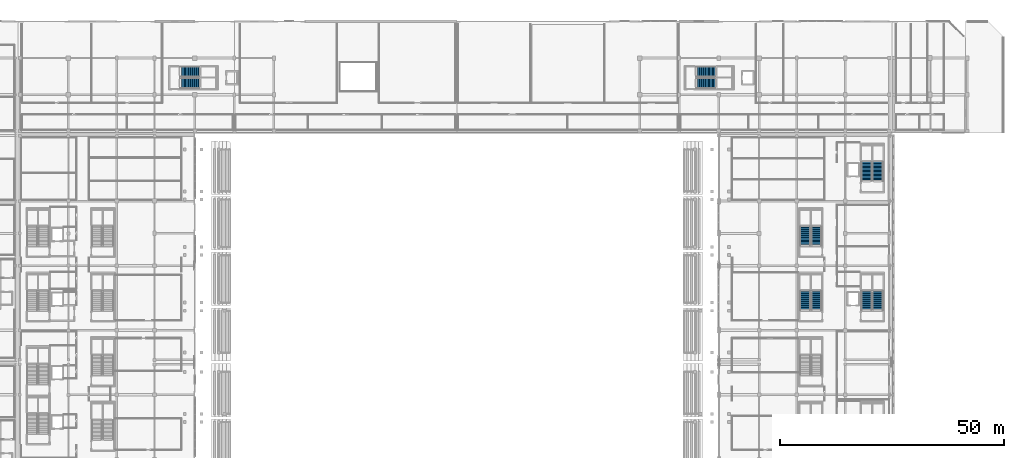
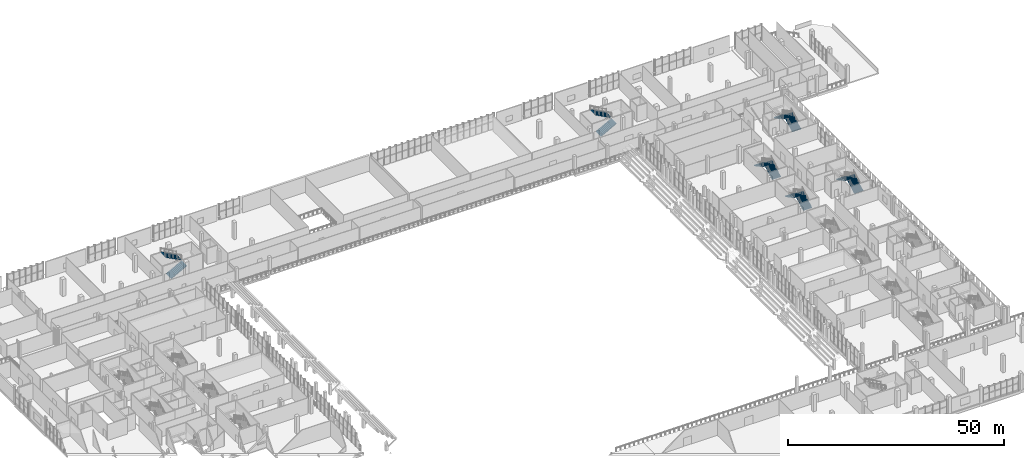
# One storey, part 108 of 142: 12 stair flights, 6 elements without a shape of their own.
"""IFC4 building model written with IfcOpenShell, lengths in metres."""

from ifc_helpers import new_model, si_unit, direction, frame, origin, place, context, subcontext, project, spatial, polyline, outline, extrude, material, type_object, element, aggregate, save


model = new_model("IFC4")

# Units and contexts
model_context = context("Model", 3, precision=1e-05, world=origin(), true_north=direction((0.0, 1.0)))
body_context = subcontext(model_context, "Body", "Model", "MODEL_VIEW")
ifc_project = project(units=[si_unit("LENGTHUNIT", "METRE"), si_unit("AREAUNIT", "SQUARE_METRE"), si_unit("VOLUMEUNIT", "CUBIC_METRE"), si_unit("PLANEANGLEUNIT", "RADIAN"), si_unit("MASSUNIT", "GRAM", prefix="KILO")], contexts=[model_context])

# Site, building, storey
site_placement = place(None, origin())
site = spatial("IfcSite", under=ifc_project, at=site_placement, CompositionType="ELEMENT")
building_placement = place(site_placement, origin())
building = spatial("IfcBuilding", under=site, at=building_placement, Name="Koshinbarg Plaza Stadium", CompositionType="ELEMENT")
storey_placement = place(building_placement, frame((0.0, 0.0, 10.199951171875)))
storey = spatial("IfcBuildingStorey", under=building, at=storey_placement, Name="L02", CompositionType="ELEMENT", Elevation=10.199951171875)

# Stair, stair flights
ifc_material = material(Name="Concrete C35/45", Category="concrete")
stair_type_1 = type_object("IfcStairType", Name="ST-CORE-48", PredefinedType="HALF_TURN_STAIR", material=ifc_material)
stair_1_placement = place(storey_placement, origin())
stair_1 = element("IfcStair", 1, at=stair_1_placement, inside=storey, type_object=stair_type_1, Name="L02 Protected Exit Stair C09", PredefinedType="HALF_TURN_STAIR")
stair_flight_type = type_object("IfcStairFlightType", Name="SFL-CORE-48", PredefinedType="STRAIGHT", material=ifc_material)
stair_flight_1_placement = place(storey_placement, frame((215.889892578125, 87.56005859375, 0.0), z_axis=(0.0, 0.0, 1.0), x_axis=(0.0, 1.0, 0.0)))
stair_flight_1 = element("IfcStairFlight", 2, at=stair_flight_1_placement, type_object=stair_flight_type, Name="L02 Protected Exit Stair C09 flight 097", NumberOfRisers=15, NumberOfTreads=14, PredefinedType="STRAIGHT", RiserHeight=0.16, TreadLength=0.3, context=body_context, shape_type="SweptSolid", body=[
    extrude(outline(polyline([(0.0, 0.0), (0.0, 0.159912109375), (0.300048828125, 0.159912109375), (0.300048828125, 0.320068359375), (0.60009765625, 0.320068359375), (0.60009765625, 0.47998046875), (0.89990234375, 0.47998046875), (0.89990234375, 0.639892578125), (1.199951171875, 0.639892578125), (1.199951171875, 0.800048828125), (1.5, 0.800048828125), (1.5, 0.9599609375), (1.800048828125, 0.9599609375), (1.800048828125, 1.1201171875), (2.10009765625, 1.1201171875), (2.10009765625, 1.280029296875), (2.39990234375, 1.280029296875), (2.39990234375, 1.43994140625), (2.699951171875, 1.43994140625), (2.699951171875, 1.60009765625), (3.0, 1.60009765625), (3.0, 1.760009765625), (3.300048828125, 1.760009765625), (3.300048828125, 1.919921875), (3.60009765625, 1.919921875), (3.60009765625, 2.080078125), (3.89990234375, 2.080078125), (3.89990234375, 2.239990234375), (4.199951171875, 2.239990234375), (4.199951171875, 2.39990234375), (4.199951171875, 2.070068359375), (0.318603515625, 0.0), (0.0, 0.0)])), frame((0.0, 1.18017578125, 0.0), z_axis=(0.0, -1.0, 0.0), x_axis=(1.0, 0.0, 0.0)), (0.0, 0.0, 1.0), 2.360107421875),
])
stair_flight_2_placement = place(storey_placement, frame((213.3798828125, 91.760009765625, 2.400146484375), z_axis=(0.0, 0.0, 1.0), x_axis=(0.0, -1.0, 0.0)))
stair_flight_2 = element("IfcStairFlight", 3, at=stair_flight_2_placement, type_object=stair_flight_type, Name="L02 Protected Exit Stair C09 flight 098", NumberOfRisers=15, NumberOfTreads=14, PredefinedType="STRAIGHT", RiserHeight=0.16, TreadLength=0.3, context=body_context, shape_type="SweptSolid", body=[
    extrude(outline(polyline([(0.0, 0.0), (0.0, 0.159912109375), (0.300048828125, 0.159912109375), (0.300048828125, 0.320068359375), (0.60009765625, 0.320068359375), (0.60009765625, 0.47998046875), (0.89990234375, 0.47998046875), (0.89990234375, 0.639892578125), (1.199951171875, 0.639892578125), (1.199951171875, 0.800048828125), (1.5, 0.800048828125), (1.5, 0.9599609375), (1.800048828125, 0.9599609375), (1.800048828125, 1.1201171875), (2.10009765625, 1.1201171875), (2.10009765625, 1.280029296875), (2.39990234375, 1.280029296875), (2.39990234375, 1.43994140625), (2.699951171875, 1.43994140625), (2.699951171875, 1.60009765625), (3.0, 1.60009765625), (3.0, 1.760009765625), (3.300048828125, 1.760009765625), (3.300048828125, 1.919921875), (3.60009765625, 1.919921875), (3.60009765625, 2.080078125), (3.89990234375, 2.080078125), (3.89990234375, 2.239990234375), (4.199951171875, 2.239990234375), (4.199951171875, 2.39990234375), (4.199951171875, 2.070068359375), (0.318603515625, 0.0), (0.0, 0.0)])), frame((0.0, 1.18017578125, 0.0), z_axis=(0.0, -1.0, 0.0), x_axis=(1.0, 0.0, 0.0)), (0.0, 0.0, 1.0), 2.360107421875),
])
aggregate(stair_1, [stair_flight_1, stair_flight_2])

stair_2_placement = place(storey_placement, origin())
stair_2 = element("IfcStair", 4, at=stair_2_placement, inside=storey, type_object=stair_type_1, Name="L02 Protected Exit Stair C10", PredefinedType="HALF_TURN_STAIR")
stair_flight_3_placement = place(storey_placement, frame((215.889892578125, 116.360107421875, 0.0), z_axis=(0.0, 0.0, 1.0), x_axis=(0.0, 1.0, 0.0)))
stair_flight_3 = element("IfcStairFlight", 5, at=stair_flight_3_placement, type_object=stair_flight_type, Name="L02 Protected Exit Stair C10 flight 107", NumberOfRisers=15, NumberOfTreads=14, PredefinedType="STRAIGHT", RiserHeight=0.16, TreadLength=0.3, context=body_context, shape_type="SweptSolid", body=[
    extrude(outline(polyline([(0.0, 0.0), (0.0, 0.159912109375), (0.300048828125, 0.159912109375), (0.300048828125, 0.320068359375), (0.60009765625, 0.320068359375), (0.60009765625, 0.47998046875), (0.89990234375, 0.47998046875), (0.89990234375, 0.639892578125), (1.199951171875, 0.639892578125), (1.199951171875, 0.800048828125), (1.5, 0.800048828125), (1.5, 0.9599609375), (1.800048828125, 0.9599609375), (1.800048828125, 1.1201171875), (2.10009765625, 1.1201171875), (2.10009765625, 1.280029296875), (2.39990234375, 1.280029296875), (2.39990234375, 1.43994140625), (2.699951171875, 1.43994140625), (2.699951171875, 1.60009765625), (3.0, 1.60009765625), (3.0, 1.760009765625), (3.300048828125, 1.760009765625), (3.300048828125, 1.919921875), (3.60009765625, 1.919921875), (3.60009765625, 2.080078125), (3.89990234375, 2.080078125), (3.89990234375, 2.239990234375), (4.199951171875, 2.239990234375), (4.199951171875, 2.39990234375), (4.199951171875, 2.070068359375), (0.318603515625, 0.0), (0.0, 0.0)])), frame((0.0, 1.18017578125, 0.0), z_axis=(0.0, -1.0, 0.0), x_axis=(1.0, 0.0, 0.0)), (0.0, 0.0, 1.0), 2.360107421875),
])
stair_flight_4_placement = place(storey_placement, frame((213.3798828125, 120.56005859375, 2.400146484375), z_axis=(0.0, 0.0, 1.0), x_axis=(0.0, -1.0, 0.0)))
stair_flight_4 = element("IfcStairFlight", 6, at=stair_flight_4_placement, type_object=stair_flight_type, Name="L02 Protected Exit Stair C10 flight 108", NumberOfRisers=15, NumberOfTreads=14, PredefinedType="STRAIGHT", RiserHeight=0.16, TreadLength=0.3, context=body_context, shape_type="SweptSolid", body=[
    extrude(outline(polyline([(0.0, 0.0), (0.0, 0.159912109375), (0.300048828125, 0.159912109375), (0.300048828125, 0.320068359375), (0.60009765625, 0.320068359375), (0.60009765625, 0.47998046875), (0.89990234375, 0.47998046875), (0.89990234375, 0.639892578125), (1.199951171875, 0.639892578125), (1.199951171875, 0.800048828125), (1.5, 0.800048828125), (1.5, 0.9599609375), (1.800048828125, 0.9599609375), (1.800048828125, 1.1201171875), (2.10009765625, 1.1201171875), (2.10009765625, 1.280029296875), (2.39990234375, 1.280029296875), (2.39990234375, 1.43994140625), (2.699951171875, 1.43994140625), (2.699951171875, 1.60009765625), (3.0, 1.60009765625), (3.0, 1.760009765625), (3.300048828125, 1.760009765625), (3.300048828125, 1.919921875), (3.60009765625, 1.919921875), (3.60009765625, 2.080078125), (3.89990234375, 2.080078125), (3.89990234375, 2.239990234375), (4.199951171875, 2.239990234375), (4.199951171875, 2.39990234375), (4.199951171875, 2.070068359375), (0.318603515625, 0.0), (0.0, 0.0)])), frame((0.0, 1.18017578125, 0.0), z_axis=(0.0, -1.0, 0.0), x_axis=(1.0, 0.0, 0.0)), (0.0, 0.0, 1.0), 2.360107421875),
])
aggregate(stair_2, [stair_flight_3, stair_flight_4])

stair_3_placement = place(storey_placement, origin())
stair_3 = element("IfcStair", 7, at=stair_3_placement, inside=storey, type_object=stair_type_1, Name="L02 Protected Exit Stair C11", PredefinedType="HALF_TURN_STAIR")
stair_flight_5_placement = place(storey_placement, frame((60.360107421875, 138.179931640625, 0.0), z_axis=(0.0, 0.0, 1.0), x_axis=(1.0, 0.0, 0.0)))
stair_flight_5 = element("IfcStairFlight", 8, at=stair_flight_5_placement, type_object=stair_flight_type, Name="L02 Protected Exit Stair C11 flight 117", NumberOfRisers=15, NumberOfTreads=14, PredefinedType="STRAIGHT", RiserHeight=0.16, TreadLength=0.3, context=body_context, shape_type="SweptSolid", body=[
    extrude(outline(polyline([(0.0, 0.0), (0.0, 0.159912109375), (0.300048828125, 0.159912109375), (0.300048828125, 0.320068359375), (0.60009765625, 0.320068359375), (0.60009765625, 0.47998046875), (0.89990234375, 0.47998046875), (0.89990234375, 0.639892578125), (1.199951171875, 0.639892578125), (1.199951171875, 0.800048828125), (1.5, 0.800048828125), (1.5, 0.9599609375), (1.800048828125, 0.9599609375), (1.800048828125, 1.1201171875), (2.10009765625, 1.1201171875), (2.10009765625, 1.280029296875), (2.39990234375, 1.280029296875), (2.39990234375, 1.43994140625), (2.699951171875, 1.43994140625), (2.699951171875, 1.60009765625), (3.0, 1.60009765625), (3.0, 1.760009765625), (3.300048828125, 1.760009765625), (3.300048828125, 1.919921875), (3.60009765625, 1.919921875), (3.60009765625, 2.080078125), (3.89990234375, 2.080078125), (3.89990234375, 2.239990234375), (4.199951171875, 2.239990234375), (4.199951171875, 2.39990234375), (4.199951171875, 2.070068359375), (0.318603515625, 0.0), (0.0, 0.0)])), frame((0.0, 1.18017578125, 0.0), z_axis=(0.0, -1.0, 0.0), x_axis=(1.0, 0.0, 0.0)), (0.0, 0.0, 1.0), 2.360107421875),
])
stair_flight_6_placement = place(storey_placement, frame((64.56005859375, 140.68994140625, 2.400146484375), z_axis=(0.0, 0.0, 1.0), x_axis=(-1.0, 0.0, 0.0)))
stair_flight_6 = element("IfcStairFlight", 9, at=stair_flight_6_placement, type_object=stair_flight_type, Name="L02 Protected Exit Stair C11 flight 118", NumberOfRisers=15, NumberOfTreads=14, PredefinedType="STRAIGHT", RiserHeight=0.16, TreadLength=0.3, context=body_context, shape_type="SweptSolid", body=[
    extrude(outline(polyline([(0.0, 0.0), (0.0, 0.159912109375), (0.300048828125, 0.159912109375), (0.300048828125, 0.320068359375), (0.60009765625, 0.320068359375), (0.60009765625, 0.47998046875), (0.89990234375, 0.47998046875), (0.89990234375, 0.639892578125), (1.199951171875, 0.639892578125), (1.199951171875, 0.800048828125), (1.5, 0.800048828125), (1.5, 0.9599609375), (1.800048828125, 0.9599609375), (1.800048828125, 1.1201171875), (2.10009765625, 1.1201171875), (2.10009765625, 1.280029296875), (2.39990234375, 1.280029296875), (2.39990234375, 1.43994140625), (2.699951171875, 1.43994140625), (2.699951171875, 1.60009765625), (3.0, 1.60009765625), (3.0, 1.760009765625), (3.300048828125, 1.760009765625), (3.300048828125, 1.919921875), (3.60009765625, 1.919921875), (3.60009765625, 2.080078125), (3.89990234375, 2.080078125), (3.89990234375, 2.239990234375), (4.199951171875, 2.239990234375), (4.199951171875, 2.39990234375), (4.199951171875, 2.070068359375), (0.318603515625, 0.0), (0.0, 0.0)])), frame((0.0, 1.18017578125, 0.0), z_axis=(0.0, -1.0, 0.0), x_axis=(1.0, 0.0, 0.0)), (0.0, 0.0, 1.0), 2.360107421875),
])
aggregate(stair_3, [stair_flight_5, stair_flight_6])

stair_4_placement = place(storey_placement, origin())
stair_4 = element("IfcStair", 10, at=stair_4_placement, inside=storey, type_object=stair_type_1, Name="L02 Protected Exit Stair C12", PredefinedType="HALF_TURN_STAIR")
stair_flight_7_placement = place(storey_placement, frame((175.360107421875, 138.179931640625, 0.0), z_axis=(0.0, 0.0, 1.0), x_axis=(1.0, 0.0, 0.0)))
stair_flight_7 = element("IfcStairFlight", 11, at=stair_flight_7_placement, type_object=stair_flight_type, Name="L02 Protected Exit Stair C12 flight 123", NumberOfRisers=15, NumberOfTreads=14, PredefinedType="STRAIGHT", RiserHeight=0.16, TreadLength=0.3, context=body_context, shape_type="SweptSolid", body=[
    extrude(outline(polyline([(0.0, 0.0), (0.0, 0.159912109375), (0.300048828125, 0.159912109375), (0.300048828125, 0.320068359375), (0.60009765625, 0.320068359375), (0.60009765625, 0.47998046875), (0.89990234375, 0.47998046875), (0.89990234375, 0.639892578125), (1.199951171875, 0.639892578125), (1.199951171875, 0.800048828125), (1.5, 0.800048828125), (1.5, 0.9599609375), (1.800048828125, 0.9599609375), (1.800048828125, 1.1201171875), (2.10009765625, 1.1201171875), (2.10009765625, 1.280029296875), (2.39990234375, 1.280029296875), (2.39990234375, 1.43994140625), (2.699951171875, 1.43994140625), (2.699951171875, 1.60009765625), (3.0, 1.60009765625), (3.0, 1.760009765625), (3.300048828125, 1.760009765625), (3.300048828125, 1.919921875), (3.60009765625, 1.919921875), (3.60009765625, 2.080078125), (3.89990234375, 2.080078125), (3.89990234375, 2.239990234375), (4.199951171875, 2.239990234375), (4.199951171875, 2.39990234375), (4.199951171875, 2.070068359375), (0.318603515625, 0.0), (0.0, 0.0)])), frame((0.0, 1.18017578125, 0.0), z_axis=(0.0, -1.0, 0.0), x_axis=(1.0, 0.0, 0.0)), (0.0, 0.0, 1.0), 2.360107421875),
])
stair_flight_8_placement = place(storey_placement, frame((179.56005859375, 140.68994140625, 2.400146484375), z_axis=(0.0, 0.0, 1.0), x_axis=(-1.0, 0.0, 0.0)))
stair_flight_8 = element("IfcStairFlight", 12, at=stair_flight_8_placement, type_object=stair_flight_type, Name="L02 Protected Exit Stair C12 flight 124", NumberOfRisers=15, NumberOfTreads=14, PredefinedType="STRAIGHT", RiserHeight=0.16, TreadLength=0.3, context=body_context, shape_type="SweptSolid", body=[
    extrude(outline(polyline([(0.0, 0.0), (0.0, 0.159912109375), (0.300048828125, 0.159912109375), (0.300048828125, 0.320068359375), (0.60009765625, 0.320068359375), (0.60009765625, 0.47998046875), (0.89990234375, 0.47998046875), (0.89990234375, 0.639892578125), (1.199951171875, 0.639892578125), (1.199951171875, 0.800048828125), (1.5, 0.800048828125), (1.5, 0.9599609375), (1.800048828125, 0.9599609375), (1.800048828125, 1.1201171875), (2.10009765625, 1.1201171875), (2.10009765625, 1.280029296875), (2.39990234375, 1.280029296875), (2.39990234375, 1.43994140625), (2.699951171875, 1.43994140625), (2.699951171875, 1.60009765625), (3.0, 1.60009765625), (3.0, 1.760009765625), (3.300048828125, 1.760009765625), (3.300048828125, 1.919921875), (3.60009765625, 1.919921875), (3.60009765625, 2.080078125), (3.89990234375, 2.080078125), (3.89990234375, 2.239990234375), (4.199951171875, 2.239990234375), (4.199951171875, 2.39990234375), (4.199951171875, 2.070068359375), (0.318603515625, 0.0), (0.0, 0.0)])), frame((0.0, 1.18017578125, 0.0), z_axis=(0.0, -1.0, 0.0), x_axis=(1.0, 0.0, 0.0)), (0.0, 0.0, 1.0), 2.360107421875),
])
aggregate(stair_4, [stair_flight_7, stair_flight_8])

stair_type_2 = type_object("IfcStairType", Name="ST-VOM-48", PredefinedType="HALF_TURN_STAIR", material=ifc_material)
stair_5_placement = place(storey_placement, origin())
stair_5 = element("IfcStair", 13, at=stair_5_placement, inside=storey, type_object=stair_type_2, Name="L02 Upper Vomitory Stair VX11", PredefinedType="HALF_TURN_STAIR")
stair_flight_9_placement = place(storey_placement, frame((202.18994140625, 87.56005859375, 0.0), z_axis=(0.0, 0.0, 1.0), x_axis=(0.0, 1.0, 0.0)))
stair_flight_9 = element("IfcStairFlight", 14, at=stair_flight_9_placement, type_object=stair_flight_type, Name="L02 Upper Vomitory Stair VX11 flight 213", NumberOfRisers=15, NumberOfTreads=14, PredefinedType="STRAIGHT", RiserHeight=0.16, TreadLength=0.3, context=body_context, shape_type="SweptSolid", body=[
    extrude(outline(polyline([(0.0, 0.0), (0.0, 0.159912109375), (0.300048828125, 0.159912109375), (0.300048828125, 0.320068359375), (0.60009765625, 0.320068359375), (0.60009765625, 0.47998046875), (0.89990234375, 0.47998046875), (0.89990234375, 0.639892578125), (1.199951171875, 0.639892578125), (1.199951171875, 0.800048828125), (1.5, 0.800048828125), (1.5, 0.9599609375), (1.800048828125, 0.9599609375), (1.800048828125, 1.1201171875), (2.10009765625, 1.1201171875), (2.10009765625, 1.280029296875), (2.39990234375, 1.280029296875), (2.39990234375, 1.43994140625), (2.699951171875, 1.43994140625), (2.699951171875, 1.60009765625), (3.0, 1.60009765625), (3.0, 1.760009765625), (3.300048828125, 1.760009765625), (3.300048828125, 1.919921875), (3.60009765625, 1.919921875), (3.60009765625, 2.080078125), (3.89990234375, 2.080078125), (3.89990234375, 2.239990234375), (4.199951171875, 2.239990234375), (4.199951171875, 2.39990234375), (4.199951171875, 2.070068359375), (0.318603515625, 0.0), (0.0, 0.0)])), frame((0.0, 1.18017578125, 0.0), z_axis=(0.0, -1.0, 0.0), x_axis=(1.0, 0.0, 0.0)), (0.0, 0.0, 1.0), 2.360107421875),
])
stair_flight_10_placement = place(storey_placement, frame((199.679931640625, 91.760009765625, 2.400146484375), z_axis=(0.0, 0.0, 1.0), x_axis=(0.0, -1.0, 0.0)))
stair_flight_10 = element("IfcStairFlight", 15, at=stair_flight_10_placement, type_object=stair_flight_type, Name="L02 Upper Vomitory Stair VX11 flight 214", NumberOfRisers=15, NumberOfTreads=14, PredefinedType="STRAIGHT", RiserHeight=0.16, TreadLength=0.3, context=body_context, shape_type="SweptSolid", body=[
    extrude(outline(polyline([(0.0, 0.0), (0.0, 0.159912109375), (0.300048828125, 0.159912109375), (0.300048828125, 0.320068359375), (0.60009765625, 0.320068359375), (0.60009765625, 0.47998046875), (0.89990234375, 0.47998046875), (0.89990234375, 0.639892578125), (1.199951171875, 0.639892578125), (1.199951171875, 0.800048828125), (1.5, 0.800048828125), (1.5, 0.9599609375), (1.800048828125, 0.9599609375), (1.800048828125, 1.1201171875), (2.10009765625, 1.1201171875), (2.10009765625, 1.280029296875), (2.39990234375, 1.280029296875), (2.39990234375, 1.43994140625), (2.699951171875, 1.43994140625), (2.699951171875, 1.60009765625), (3.0, 1.60009765625), (3.0, 1.760009765625), (3.300048828125, 1.760009765625), (3.300048828125, 1.919921875), (3.60009765625, 1.919921875), (3.60009765625, 2.080078125), (3.89990234375, 2.080078125), (3.89990234375, 2.239990234375), (4.199951171875, 2.239990234375), (4.199951171875, 2.39990234375), (4.199951171875, 2.070068359375), (0.318603515625, 0.0), (0.0, 0.0)])), frame((0.0, 1.18017578125, 0.0), z_axis=(0.0, -1.0, 0.0), x_axis=(1.0, 0.0, 0.0)), (0.0, 0.0, 1.0), 2.360107421875),
])
aggregate(stair_5, [stair_flight_9, stair_flight_10])

stair_6_placement = place(storey_placement, origin())
stair_6 = element("IfcStair", 16, at=stair_6_placement, inside=storey, type_object=stair_type_2, Name="L02 Upper Vomitory Stair VX12", PredefinedType="HALF_TURN_STAIR")
stair_flight_11_placement = place(storey_placement, frame((202.18994140625, 101.9599609375, 0.0), z_axis=(0.0, 0.0, 1.0), x_axis=(0.0, 1.0, 0.0)))
stair_flight_11 = element("IfcStairFlight", 17, at=stair_flight_11_placement, type_object=stair_flight_type, Name="L02 Upper Vomitory Stair VX12 flight 219", NumberOfRisers=15, NumberOfTreads=14, PredefinedType="STRAIGHT", RiserHeight=0.16, TreadLength=0.3, context=body_context, shape_type="SweptSolid", body=[
    extrude(outline(polyline([(0.0, 0.0), (0.0, 0.159912109375), (0.300048828125, 0.159912109375), (0.300048828125, 0.320068359375), (0.60009765625, 0.320068359375), (0.60009765625, 0.47998046875), (0.89990234375, 0.47998046875), (0.89990234375, 0.639892578125), (1.199951171875, 0.639892578125), (1.199951171875, 0.800048828125), (1.5, 0.800048828125), (1.5, 0.9599609375), (1.800048828125, 0.9599609375), (1.800048828125, 1.1201171875), (2.10009765625, 1.1201171875), (2.10009765625, 1.280029296875), (2.39990234375, 1.280029296875), (2.39990234375, 1.43994140625), (2.699951171875, 1.43994140625), (2.699951171875, 1.60009765625), (3.0, 1.60009765625), (3.0, 1.760009765625), (3.300048828125, 1.760009765625), (3.300048828125, 1.919921875), (3.60009765625, 1.919921875), (3.60009765625, 2.080078125), (3.89990234375, 2.080078125), (3.89990234375, 2.239990234375), (4.199951171875, 2.239990234375), (4.199951171875, 2.39990234375), (4.199951171875, 2.070068359375), (0.318603515625, 0.0), (0.0, 0.0)])), frame((0.0, 1.18017578125, 0.0), z_axis=(0.0, -1.0, 0.0), x_axis=(1.0, 0.0, 0.0)), (0.0, 0.0, 1.0), 2.360107421875),
])
stair_flight_12_placement = place(storey_placement, frame((199.679931640625, 106.159912109375, 2.400146484375), z_axis=(0.0, 0.0, 1.0), x_axis=(0.0, -1.0, 0.0)))
stair_flight_12 = element("IfcStairFlight", 18, at=stair_flight_12_placement, type_object=stair_flight_type, Name="L02 Upper Vomitory Stair VX12 flight 220", NumberOfRisers=15, NumberOfTreads=14, PredefinedType="STRAIGHT", RiserHeight=0.16, TreadLength=0.3, context=body_context, shape_type="SweptSolid", body=[
    extrude(outline(polyline([(0.0, 0.0), (0.0, 0.159912109375), (0.300048828125, 0.159912109375), (0.300048828125, 0.320068359375), (0.60009765625, 0.320068359375), (0.60009765625, 0.47998046875), (0.89990234375, 0.47998046875), (0.89990234375, 0.639892578125), (1.199951171875, 0.639892578125), (1.199951171875, 0.800048828125), (1.5, 0.800048828125), (1.5, 0.9599609375), (1.800048828125, 0.9599609375), (1.800048828125, 1.1201171875), (2.10009765625, 1.1201171875), (2.10009765625, 1.280029296875), (2.39990234375, 1.280029296875), (2.39990234375, 1.43994140625), (2.699951171875, 1.43994140625), (2.699951171875, 1.60009765625), (3.0, 1.60009765625), (3.0, 1.760009765625), (3.300048828125, 1.760009765625), (3.300048828125, 1.919921875), (3.60009765625, 1.919921875), (3.60009765625, 2.080078125), (3.89990234375, 2.080078125), (3.89990234375, 2.239990234375), (4.199951171875, 2.239990234375), (4.199951171875, 2.39990234375), (4.199951171875, 2.070068359375), (0.318603515625, 0.0), (0.0, 0.0)])), frame((0.0, 1.18017578125, 0.0), z_axis=(0.0, -1.0, 0.0), x_axis=(1.0, 0.0, 0.0)), (0.0, 0.0, 1.0), 2.360107421875),
])
aggregate(stair_6, [stair_flight_11, stair_flight_12])

save(model, "model.ifc")
